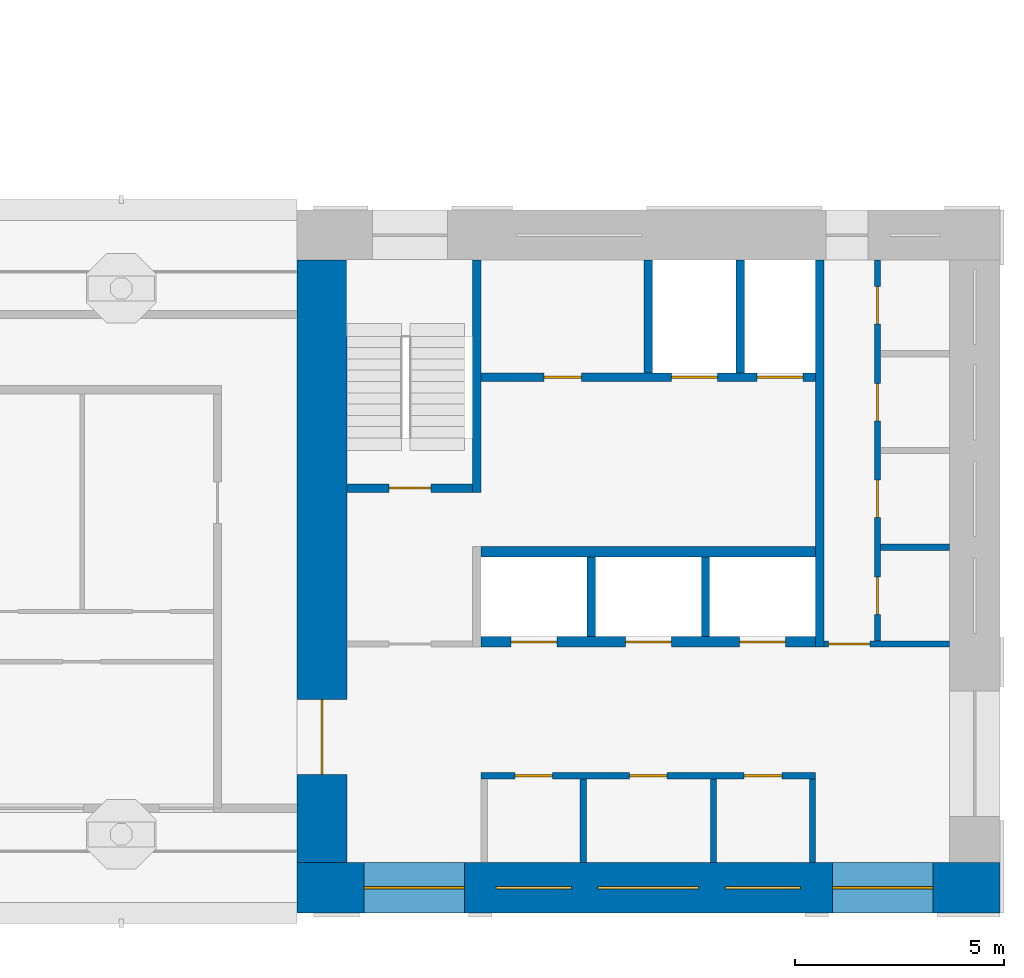
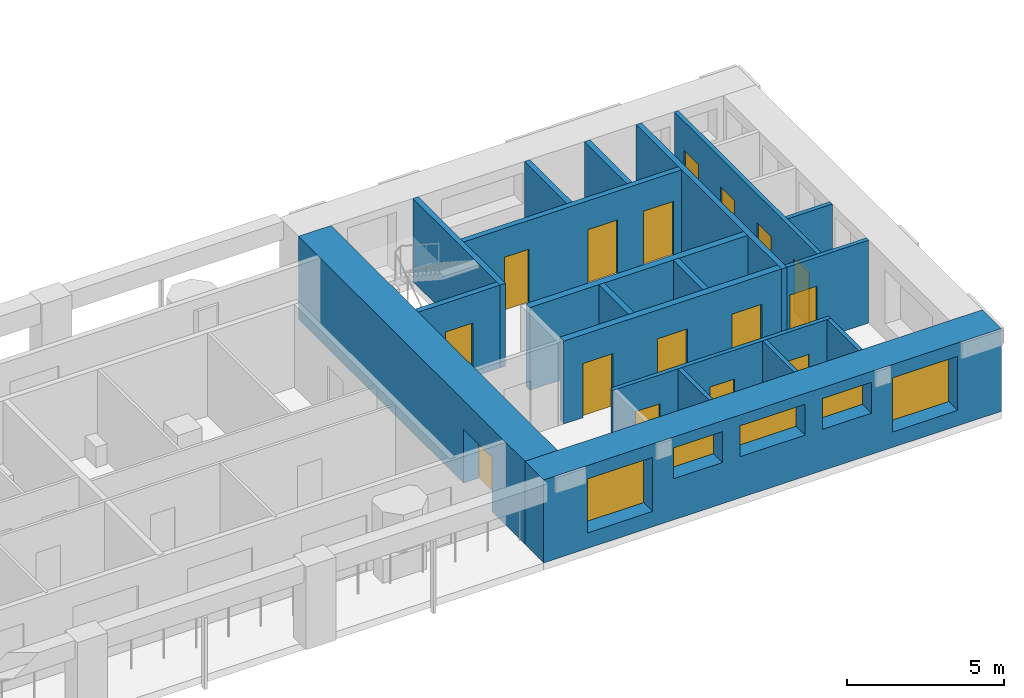
# One storey, part 4 of 12: 19 walls, 16 doors, 5 windows, 21 openings.
"""IFC4 building model written with IfcOpenShell, lengths in metres."""

from ifc_helpers import new_model, si_unit, direction, frame, frame_2d, origin, place, context, subcontext, project, spatial, rectangle, extrude, material, layer, layer_set, type_object, element, fill, save


model = new_model("IFC4")

# Units and contexts
model_context = context("Model", 3, precision=1e-05, world=origin(), true_north=direction((0.0, 1.0)))
body_context = subcontext(model_context, "Body", "Model", "MODEL_VIEW")
ifc_project = project(units=[si_unit("LENGTHUNIT", "METRE"), si_unit("AREAUNIT", "SQUARE_METRE"), si_unit("VOLUMEUNIT", "CUBIC_METRE"), si_unit("PLANEANGLEUNIT", "RADIAN"), si_unit("MASSUNIT", "GRAM", prefix="KILO")], contexts=[model_context])

# Site, building, storey
site_placement = place(None, origin())
site = spatial("IfcSite", under=ifc_project, at=site_placement, CompositionType="ELEMENT")
building_placement = place(site_placement, origin())
building = spatial("IfcBuilding", under=site, at=building_placement, Name="Vermilion Gate Residences", CompositionType="ELEMENT")
storey_placement = place(building_placement, frame((0.0, 0.0, 235.199951171875)))
storey = spatial("IfcBuildingStorey", under=building, at=storey_placement, Name="L61", CompositionType="ELEMENT", Elevation=235.199951171875)

# Walls
ifc_material_1 = material(Name="Masonry blockwork", Category="masonry")
ifc_layer_1 = layer(ifc_material_1, 0.14990234375)
ifc_layer_set_1 = layer_set([ifc_layer_1], Name="BLOCKWORK PARTITION 150 EI 120")
wall_type_1 = type_object("IfcWallType", Name="BLOCKWORK PARTITION 150 EI 120", PredefinedType="PARTITIONING", material=ifc_layer_set_1)
for number, where, z_axis, x_axis, name in (
    (1, (54.324951171875, 9.60009765625, 0.0), (0.0, 0.0, 1.0), (0.0, 1.0, 0.0), "Core room partition A61-RW-E"),
    (2, (48.844970703125, 9.60009765625, 0.0), (0.0, 0.0, 1.0), (0.0, 1.0, 0.0), "Core room partition A61-SR-P0"),
    (3, (51.955078125, 9.60009765625, 0.0), (0.0, 0.0, 1.0), (0.0, 1.0, 0.0), "Core room partition A61-SR-P1"),
):
    element("IfcWall", number, at=place(storey_placement, frame(where, z_axis=z_axis, x_axis=x_axis)), inside=storey, type_object=wall_type_1, Name=name, PredefinedType="PARTITIONING", context=body_context, shape_type="SweptSolid", body=[
        extrude(rectangle(XDim=2.0, YDim=0.14990234375, at=frame_2d((1.0, 0.0))), origin(), (0.0, 0.0, 1.0), 3.219970703125),
    ])

# Wall, openings, doors
wall_1_placement = place(storey_placement, frame((46.39990234375, 11.675048828125, 0.0), z_axis=(0.0, 0.0, 1.0), x_axis=(1.0, 0.0, 0.0)))
wall_1 = element("IfcWall", 4, at=wall_1_placement, inside=storey, type_object=wall_type_1, Name="Core room partition A61-LR-F", PredefinedType="PARTITIONING", context=body_context, shape_type="SweptSolid", body=[
    extrude(rectangle(XDim=8.0, YDim=0.14990234375, at=frame_2d((4.0, 0.0))), origin(), (0.0, 0.0, 1.0), 3.219970703125),
])
opening_1_placement = place(wall_1_placement, frame((0.81005859375, 0.0, 0.0)))
opening_1 = element("IfcOpeningElement", 5, at=opening_1_placement, cuts=wall_1, Name="Opening DK61002", PredefinedType="OPENING", context=body_context, shape_type="SweptSolid", body=[
    extrude(rectangle(XDim=0.89990234375, YDim=2.10009765625, at=frame_2d((0.449951171875, 1.050048828125))), frame((0.0, 0.0849609375, 0.0), z_axis=(0.0, -1.0, 0.0), x_axis=(1.0, 0.0, 0.0)), (0.0, 0.0, 1.0), 0.169921875),
])
opening_2_placement = place(wall_1_placement, frame((3.550048828125, 0.0, 0.0)))
opening_2 = element("IfcOpeningElement", 6, at=opening_2_placement, cuts=wall_1, Name="Opening DK61003", PredefinedType="OPENING", context=body_context, shape_type="SweptSolid", body=[
    extrude(rectangle(XDim=0.89990234375, YDim=2.10009765625, at=frame_2d((0.449951171875, 1.050048828125))), frame((0.0, 0.0849609375, 0.0), z_axis=(0.0, -1.0, 0.0), x_axis=(1.0, 0.0, 0.0)), (0.0, 0.0, 1.0), 0.169921875),
])
opening_3_placement = place(wall_1_placement, frame((6.2900390625, 0.0, 0.0)))
opening_3 = element("IfcOpeningElement", 7, at=opening_3_placement, cuts=wall_1, Name="Opening DK61004", PredefinedType="OPENING", context=body_context, shape_type="SweptSolid", body=[
    extrude(rectangle(XDim=0.89990234375, YDim=2.10009765625, at=frame_2d((0.449951171875, 1.050048828125))), frame((0.0, 0.0849609375, 0.0), z_axis=(0.0, -1.0, 0.0), x_axis=(1.0, 0.0, 0.0)), (0.0, 0.0, 1.0), 0.169921875),
])
ifc_material_2 = material(Name="Steel", Category="steel")
door_type_1 = type_object("IfcDoorType", Name="SERVICE ROOM DOOR FD60 900 X 2100", OperationType="SINGLE_SWING_LEFT", PredefinedType="DOOR", material=ifc_material_2)
door_1_placement = place(opening_1_placement, origin())
door_1 = element("IfcDoor", 8, at=door_1_placement, inside=storey, type_object=door_type_1, Name="Electrical room A61", OperationType="SINGLE_SWING_LEFT", OverallHeight=2.10009765625, OverallWidth=0.89990234375, PredefinedType="DOOR", context=body_context, shape_type="SweptSolid", body=[
    extrude(rectangle(XDim=0.89990234375, YDim=2.10009765625, at=frame_2d((0.449951171875, 1.050048828125))), frame((0.0, 0.02490234375, 0.0), z_axis=(0.0, -1.0, 0.0), x_axis=(1.0, 0.0, 0.0)), (0.0, 0.0, 1.0), 0.050048828125),
])
fill(opening_1, door_1)
door_2_placement = place(opening_2_placement, frame((0.89990234375, 0.0, 0.0), z_axis=(0.0, 0.0, 1.0), x_axis=(-1.0, 0.0, 0.0)))
door_2 = element("IfcDoor", 9, at=door_2_placement, inside=storey, type_object=door_type_1, Name="Communications room A61", OperationType="SINGLE_SWING_RIGHT", OverallHeight=2.10009765625, OverallWidth=0.89990234375, PredefinedType="DOOR", context=body_context, shape_type="SweptSolid", body=[
    extrude(rectangle(XDim=0.89990234375, YDim=2.10009765625, at=frame_2d((0.449951171875, 1.050048828125))), frame((0.0, 0.02490234375, 0.0), z_axis=(0.0, -1.0, 0.0), x_axis=(1.0, 0.0, 0.0)), (0.0, 0.0, 1.0), 0.050048828125),
])
fill(opening_2, door_2)
door_3_placement = place(opening_3_placement, frame((0.89990234375, 0.0, 0.0), z_axis=(0.0, 0.0, 1.0), x_axis=(-1.0, 0.0, 0.0)))
door_3 = element("IfcDoor", 10, at=door_3_placement, inside=storey, type_object=door_type_1, Name="Refuse room A61", OperationType="SINGLE_SWING_RIGHT", OverallHeight=2.10009765625, OverallWidth=0.89990234375, PredefinedType="DOOR", context=body_context, shape_type="SweptSolid", body=[
    extrude(rectangle(XDim=0.89990234375, YDim=2.10009765625, at=frame_2d((0.449951171875, 1.050048828125))), frame((0.0, 0.02490234375, 0.0), z_axis=(0.0, -1.0, 0.0), x_axis=(1.0, 0.0, 0.0)), (0.0, 0.0, 1.0), 0.050048828125),
])
fill(opening_3, door_3)

# Wall, opening, door
wall_2_placement = place(storey_placement, frame((54.60009765625, 14.824951171875, 0.0), z_axis=(0.0, 0.0, 1.0), x_axis=(1.0, 0.0, 0.0)))
wall_2 = element("IfcWall", 11, at=wall_2_placement, inside=storey, type_object=wall_type_1, Name="Core room partition A61-ES-S", PredefinedType="PARTITIONING", context=body_context, shape_type="SweptSolid", body=[
    extrude(rectangle(XDim=3.0, YDim=0.14990234375, at=frame_2d((1.5, 0.0))), origin(), (0.0, 0.0, 1.0), 3.219970703125),
])
opening_4_placement = place(wall_2_placement, frame((0.10009765625, 0.0, 0.0)))
opening_4 = element("IfcOpeningElement", 12, at=opening_4_placement, cuts=wall_2, Name="Opening DK61013", PredefinedType="OPENING", context=body_context, shape_type="SweptSolid", body=[
    extrude(rectangle(XDim=1.0, YDim=2.10009765625, at=frame_2d((0.5, 1.050048828125))), frame((0.0, 0.0849609375, 0.0), z_axis=(0.0, -1.0, 0.0), x_axis=(1.0, 0.0, 0.0)), (0.0, 0.0, 1.0), 0.169921875),
])
ifc_material_3 = material(Name="Steel", Category="steel")
door_type_2 = type_object("IfcDoorType", Name="FIRE DOOR FD60 1000 X 2100", OperationType="SINGLE_SWING_LEFT", PredefinedType="DOOR", material=ifc_material_3)
door_4_placement = place(opening_4_placement, frame((1.0, 0.0, 0.0), z_axis=(0.0, 0.0, 1.0), x_axis=(-1.0, 0.0, 0.0)))
door_4 = element("IfcDoor", 13, at=door_4_placement, inside=storey, type_object=door_type_2, Name="Service corridor door A61", OperationType="SINGLE_SWING_LEFT", OverallHeight=2.10009765625, OverallWidth=1.0, PredefinedType="DOOR", context=body_context, shape_type="SweptSolid", body=[
    extrude(rectangle(XDim=1.0, YDim=2.10009765625, at=frame_2d((0.5, 1.050048828125))), frame((0.0, 0.02490234375, 0.0), z_axis=(0.0, -1.0, 0.0), x_axis=(1.0, 0.0, 0.0)), (0.0, 0.0, 1.0), 0.050048828125),
])
fill(opening_4, door_4)

# Wall
wall_3_placement = place(storey_placement, frame((55.949951171875, 17.137451171875, 0.0), z_axis=(0.0, 0.0, 1.0), x_axis=(1.0, 0.0, 0.0)))
element("IfcWall", 14, at=wall_3_placement, inside=storey, type_object=wall_type_1, Name="Core room partition A61-ES-P0", PredefinedType="PARTITIONING", context=body_context, shape_type="SweptSolid", body=[
    extrude(rectangle(XDim=1.650146484375, YDim=0.14990234375, at=frame_2d((0.8251953125, 0.0))), origin(), (0.0, 0.0, 1.0), 3.219970703125),
])

# Wall, openings, doors
wall_4_placement = place(storey_placement, frame((55.875, 14.89990234375, 0.0), z_axis=(0.0, 0.0, 1.0), x_axis=(0.0, 1.0, 0.0)))
wall_4 = element("IfcWall", 15, at=wall_4_placement, inside=storey, type_object=wall_type_1, Name="Core room partition A61-ES-W", PredefinedType="PARTITIONING", context=body_context, shape_type="SweptSolid", body=[
    extrude(rectangle(XDim=9.10009765625, YDim=0.14990234375, at=frame_2d((4.550048828125, 0.0))), origin(), (0.0, 0.0, 1.0), 3.219970703125),
])
opening_5_placement = place(wall_4_placement, frame((0.63134765625, 0.0, 0.0)))
opening_5 = element("IfcOpeningElement", 16, at=opening_5_placement, cuts=wall_4, Name="Opening DK61014", PredefinedType="OPENING", context=body_context, shape_type="SweptSolid", body=[
    extrude(rectangle(XDim=0.89990234375, YDim=2.10009765625, at=frame_2d((0.449951171875, 1.050048828125))), frame((0.0, 0.0849609375, 0.0), z_axis=(0.0, -1.0, 0.0), x_axis=(1.0, 0.0, 0.0)), (0.0, 0.0, 1.0), 0.169921875),
])
opening_6_placement = place(wall_4_placement, frame((2.94384765625, 0.0, 0.0)))
opening_6 = element("IfcOpeningElement", 17, at=opening_6_placement, cuts=wall_4, Name="Opening DK61015", PredefinedType="OPENING", context=body_context, shape_type="SweptSolid", body=[
    extrude(rectangle(XDim=0.89990234375, YDim=2.10009765625, at=frame_2d((0.449951171875, 1.050048828125))), frame((0.0, 0.0849609375, 0.0), z_axis=(0.0, -1.0, 0.0), x_axis=(1.0, 0.0, 0.0)), (0.0, 0.0, 1.0), 0.169921875),
])
opening_7_placement = place(wall_4_placement, frame((5.25634765625, 0.0, 0.0)))
opening_7 = element("IfcOpeningElement", 18, at=opening_7_placement, cuts=wall_4, Name="Opening DK61016", PredefinedType="OPENING", context=body_context, shape_type="SweptSolid", body=[
    extrude(rectangle(XDim=0.89990234375, YDim=2.10009765625, at=frame_2d((0.449951171875, 1.050048828125))), frame((0.0, 0.0849609375, 0.0), z_axis=(0.0, -1.0, 0.0), x_axis=(1.0, 0.0, 0.0)), (0.0, 0.0, 1.0), 0.169921875),
])
opening_8_placement = place(wall_4_placement, frame((7.56884765625, 0.0, 0.0)))
opening_8 = element("IfcOpeningElement", 19, at=opening_8_placement, cuts=wall_4, Name="Opening DK61017", PredefinedType="OPENING", context=body_context, shape_type="SweptSolid", body=[
    extrude(rectangle(XDim=0.89990234375, YDim=2.10009765625, at=frame_2d((0.449951171875, 1.050048828125))), frame((0.0, 0.0849609375, 0.0), z_axis=(0.0, -1.0, 0.0), x_axis=(1.0, 0.0, 0.0)), (0.0, 0.0, 1.0), 0.169921875),
])
door_5_placement = place(opening_5_placement, frame((0.89990234375, 0.0, 0.0), z_axis=(0.0, 0.0, 1.0), x_axis=(-1.0, 0.0, 0.0)))
door_5 = element("IfcDoor", 20, at=door_5_placement, inside=storey, type_object=door_type_1, Name="Storage room A61", OperationType="SINGLE_SWING_RIGHT", OverallHeight=2.10009765625, OverallWidth=0.89990234375, PredefinedType="DOOR", context=body_context, shape_type="SweptSolid", body=[
    extrude(rectangle(XDim=0.89990234375, YDim=2.10009765625, at=frame_2d((0.449951171875, 1.050048828125))), frame((0.0, 0.02490234375, 0.0), z_axis=(0.0, -1.0, 0.0), x_axis=(1.0, 0.0, 0.0)), (0.0, 0.0, 1.0), 0.050048828125),
])
fill(opening_5, door_5)
door_6_placement = place(opening_6_placement, frame((0.89990234375, 0.0, 0.0), z_axis=(0.0, 0.0, 1.0), x_axis=(-1.0, 0.0, 0.0)))
door_6 = element("IfcDoor", 21, at=door_6_placement, inside=storey, type_object=door_type_1, Name="Refuse room A61", OperationType="SINGLE_SWING_RIGHT", OverallHeight=2.10009765625, OverallWidth=0.89990234375, PredefinedType="DOOR", context=body_context, shape_type="SweptSolid", body=[
    extrude(rectangle(XDim=0.89990234375, YDim=2.10009765625, at=frame_2d((0.449951171875, 1.050048828125))), frame((0.0, 0.02490234375, 0.0), z_axis=(0.0, -1.0, 0.0), x_axis=(1.0, 0.0, 0.0)), (0.0, 0.0, 1.0), 0.050048828125),
])
fill(opening_6, door_6)
door_7_placement = place(opening_7_placement, frame((0.89990234375, 0.0, 0.0), z_axis=(0.0, 0.0, 1.0), x_axis=(-1.0, 0.0, 0.0)))
door_7 = element("IfcDoor", 22, at=door_7_placement, inside=storey, type_object=door_type_1, Name="Parcel room A61", OperationType="SINGLE_SWING_RIGHT", OverallHeight=2.10009765625, OverallWidth=0.89990234375, PredefinedType="DOOR", context=body_context, shape_type="SweptSolid", body=[
    extrude(rectangle(XDim=0.89990234375, YDim=2.10009765625, at=frame_2d((0.449951171875, 1.050048828125))), frame((0.0, 0.02490234375, 0.0), z_axis=(0.0, -1.0, 0.0), x_axis=(1.0, 0.0, 0.0)), (0.0, 0.0, 1.0), 0.050048828125),
])
fill(opening_7, door_7)
door_8_placement = place(opening_8_placement, frame((0.89990234375, 0.0, 0.0), z_axis=(0.0, 0.0, 1.0), x_axis=(-1.0, 0.0, 0.0)))
door_8 = element("IfcDoor", 23, at=door_8_placement, inside=storey, type_object=door_type_1, Name="Cleaner's store A61", OperationType="SINGLE_SWING_RIGHT", OverallHeight=2.10009765625, OverallWidth=0.89990234375, PredefinedType="DOOR", context=body_context, shape_type="SweptSolid", body=[
    extrude(rectangle(XDim=0.89990234375, YDim=2.10009765625, at=frame_2d((0.449951171875, 1.050048828125))), frame((0.0, 0.02490234375, 0.0), z_axis=(0.0, -1.0, 0.0), x_axis=(1.0, 0.0, 0.0)), (0.0, 0.0, 1.0), 0.050048828125),
])
fill(opening_8, door_8)

# Walls
ifc_material_4 = material(Name="Concrete C60", Category="concrete")
ifc_layer_2 = layer(ifc_material_4, 0.199951171875)
ifc_layer_set_2 = layer_set([ifc_layer_2], Name="RC CORE INTERNAL WALL 200 C60")
wall_type_2 = type_object("IfcWallType", Name="RC CORE INTERNAL WALL 200 C60", PredefinedType="SHEAR", material=ifc_layer_set_2)
for number, where, z_axis, x_axis, name in (
    (24, (49.033447265625, 15.0, 0.0), (0.0, 0.0, 1.0), (0.0, 1.0, 0.0), "Core internal wall A61-HR-D1"),
    (25, (51.7666015625, 15.0, 0.0), (0.0, 0.0, 1.0), (0.0, 1.0, 0.0), "Core internal wall A61-HR-D2"),
):
    element("IfcWall", number, at=place(storey_placement, frame(where, z_axis=z_axis, x_axis=x_axis)), inside=storey, type_object=wall_type_2, Name=name, PredefinedType="SHEAR", context=body_context, shape_type="SweptSolid", body=[
        extrude(rectangle(XDim=1.89990234375, YDim=0.199951171875, at=frame_2d((0.949951171875, 0.0))), origin(), (0.0, 0.0, 1.0), 3.219970703125),
    ])
for number, where, z_axis, x_axis, name in (
    (26, (50.39990234375, 21.300048828125, 0.0), (0.0, 0.0, 1.0), (0.0, 1.0, 0.0), "Core internal wall A61-FF-D0"),
    (27, (52.60009765625, 21.300048828125, 0.0), (0.0, 0.0, 1.0), (0.0, 1.0, 0.0), "Core internal wall A61-FF-D1"),
):
    element("IfcWall", number, at=place(storey_placement, frame(where, z_axis=z_axis, x_axis=x_axis)), inside=storey, type_object=wall_type_2, Name=name, PredefinedType="SHEAR", context=body_context, shape_type="SweptSolid", body=[
        extrude(rectangle(XDim=2.699951171875, YDim=0.199951171875, at=frame_2d((1.35009765625, 0.0))), origin(), (0.0, 0.0, 1.0), 3.219970703125),
    ])

# Wall, openings, doors
wall_5_placement = place(storey_placement, frame((46.39990234375, 21.199951171875, 0.0), z_axis=(0.0, 0.0, 1.0), x_axis=(1.0, 0.0, 0.0)))
wall_5 = element("IfcWall", 28, at=wall_5_placement, inside=storey, type_object=wall_type_2, Name="Core internal wall A61-FF-F", PredefinedType="SHEAR", context=body_context, shape_type="SweptSolid", body=[
    extrude(rectangle(XDim=8.0, YDim=0.199951171875, at=frame_2d((4.0, 0.0))), origin(), (0.0, 0.0, 1.0), 3.219970703125),
])
opening_9_placement = place(wall_5_placement, frame((1.5, 0.0, 0.0)))
opening_9 = element("IfcOpeningElement", 29, at=opening_9_placement, cuts=wall_5, Name="Opening DK61008", PredefinedType="OPENING", context=body_context, shape_type="SweptSolid", body=[
    extrude(rectangle(XDim=0.89990234375, YDim=2.10009765625, at=frame_2d((0.449951171875, 1.050048828125))), frame((0.0, 0.10986328125, 0.0), z_axis=(0.0, -1.0, 0.0), x_axis=(1.0, 0.0, 0.0)), (0.0, 0.0, 1.0), 0.219970703125),
])
opening_10_placement = place(wall_5_placement, frame((4.550048828125, 0.0, 0.0)))
opening_10 = element("IfcOpeningElement", 30, at=opening_10_placement, cuts=wall_5, Name="Opening LD", PredefinedType="OPENING", context=body_context, shape_type="SweptSolid", body=[
    extrude(rectangle(XDim=1.10009765625, YDim=2.10009765625, at=frame_2d((0.550048828125, 1.050048828125))), frame((0.0, 0.10986328125, 0.0), z_axis=(0.0, -1.0, 0.0), x_axis=(1.0, 0.0, 0.0)), (0.0, 0.0, 1.0), 0.219970703125),
])
opening_11_placement = place(wall_5_placement, frame((6.60009765625, 0.0, 0.0)))
opening_11 = element("IfcOpeningElement", 31, at=opening_11_placement, cuts=wall_5, Name="Opening LD", PredefinedType="OPENING", context=body_context, shape_type="SweptSolid", body=[
    extrude(rectangle(XDim=1.10009765625, YDim=2.10009765625, at=frame_2d((0.550048828125, 1.050048828125))), frame((0.0, 0.10986328125, 0.0), z_axis=(0.0, -1.0, 0.0), x_axis=(1.0, 0.0, 0.0)), (0.0, 0.0, 1.0), 0.219970703125),
])
ifc_material_5 = material(Name="Stainless steel", Category="steel")
door_type_3 = type_object("IfcDoorType", Name="LIFT LANDING DOOR E60 1100 X 2100", OperationType="DOUBLE_DOOR_SLIDING", PredefinedType="DOOR", material=ifc_material_5)
door_9_placement = place(opening_10_placement, origin())
door_9 = element("IfcDoor", 32, at=door_9_placement, inside=storey, type_object=door_type_3, Name="Lift landing door LFA1", OperationType="DOUBLE_DOOR_SLIDING", OverallHeight=2.10009765625, OverallWidth=1.10009765625, PredefinedType="DOOR", context=body_context, shape_type="SweptSolid", body=[
    extrude(rectangle(XDim=1.10009765625, YDim=2.10009765625, at=frame_2d((0.550048828125, 1.050048828125))), frame((0.0, 0.02490234375, 0.0), z_axis=(0.0, -1.0, 0.0), x_axis=(1.0, 0.0, 0.0)), (0.0, 0.0, 1.0), 0.050048828125),
])
fill(opening_10, door_9)
door_10_placement = place(opening_11_placement, origin())
door_10 = element("IfcDoor", 33, at=door_10_placement, inside=storey, type_object=door_type_3, Name="Lift landing door LCA1", OperationType="DOUBLE_DOOR_SLIDING", OverallHeight=2.10009765625, OverallWidth=1.10009765625, PredefinedType="DOOR", context=body_context, shape_type="SweptSolid", body=[
    extrude(rectangle(XDim=1.10009765625, YDim=2.10009765625, at=frame_2d((0.550048828125, 1.050048828125))), frame((0.0, 0.02490234375, 0.0), z_axis=(0.0, -1.0, 0.0), x_axis=(1.0, 0.0, 0.0)), (0.0, 0.0, 1.0), 0.050048828125),
])
fill(opening_11, door_10)
door_11_placement = place(opening_9_placement, origin())
door_11 = element("IfcDoor", 34, at=door_11_placement, inside=storey, type_object=door_type_1, Name="Electrical riser A61", OperationType="SINGLE_SWING_LEFT", OverallHeight=2.10009765625, OverallWidth=0.89990234375, PredefinedType="DOOR", context=body_context, shape_type="SweptSolid", body=[
    extrude(rectangle(XDim=0.89990234375, YDim=2.10009765625, at=frame_2d((0.449951171875, 1.050048828125))), frame((0.0, 0.02490234375, 0.0), z_axis=(0.0, -1.0, 0.0), x_axis=(1.0, 0.0, 0.0)), (0.0, 0.0, 1.0), 0.050048828125),
])
fill(opening_9, door_11)

# Wall
wall_6_placement = place(storey_placement, frame((46.300048828125, 18.449951171875, 0.0), z_axis=(0.0, 0.0, 1.0), x_axis=(0.0, 1.0, 0.0)))
element("IfcWall", 35, at=wall_6_placement, inside=storey, type_object=wall_type_2, Name="Core internal wall A61-WDIV2", PredefinedType="SHEAR", context=body_context, shape_type="SweptSolid", body=[
    extrude(rectangle(XDim=5.550048828125, YDim=0.199951171875, at=frame_2d((2.77490234375, 0.0))), origin(), (0.0, 0.0, 1.0), 3.219970703125),
])

# Wall, opening, door
wall_7_placement = place(storey_placement, frame((43.199951171875, 18.550048828125, 0.0), z_axis=(0.0, 0.0, 1.0), x_axis=(1.0, 0.0, 0.0)))
wall_7 = element("IfcWall", 36, at=wall_7_placement, inside=storey, type_object=wall_type_2, Name="Core internal wall A61-STW-S", PredefinedType="SHEAR", context=body_context, shape_type="SweptSolid", body=[
    extrude(rectangle(XDim=3.0, YDim=0.199951171875, at=frame_2d((1.5, 0.0))), origin(), (0.0, 0.0, 1.0), 3.219970703125),
])
opening_12_placement = place(wall_7_placement, frame((1.0, 0.0, 0.0)))
opening_12 = element("IfcOpeningElement", 37, at=opening_12_placement, cuts=wall_7, Name="Opening DK61012", PredefinedType="OPENING", context=body_context, shape_type="SweptSolid", body=[
    extrude(rectangle(XDim=1.0, YDim=2.10009765625, at=frame_2d((0.5, 1.050048828125))), frame((0.0, 0.10986328125, 0.0), z_axis=(0.0, -1.0, 0.0), x_axis=(1.0, 0.0, 0.0)), (0.0, 0.0, 1.0), 0.219970703125),
])
door_12_placement = place(opening_12_placement, origin())
door_12 = element("IfcDoor", 38, at=door_12_placement, inside=storey, type_object=door_type_2, Name="Stair door A61", OperationType="SINGLE_SWING_LEFT", OverallHeight=2.10009765625, OverallWidth=1.0, PredefinedType="DOOR", context=body_context, shape_type="SweptSolid", body=[
    extrude(rectangle(XDim=1.0, YDim=2.10009765625, at=frame_2d((0.5, 1.050048828125))), frame((0.0, 0.02490234375, 0.0), z_axis=(0.0, -1.0, 0.0), x_axis=(1.0, 0.0, 0.0)), (0.0, 0.0, 1.0), 0.050048828125),
])
fill(opening_12, door_12)

# Wall
wall_8_placement = place(storey_placement, frame((54.5, 14.75, 0.0), z_axis=(0.0, 0.0, 1.0), x_axis=(0.0, 1.0, 0.0)))
element("IfcWall", 39, at=wall_8_placement, inside=storey, type_object=wall_type_2, Name="Core internal wall A61-EDIV", PredefinedType="SHEAR", context=body_context, shape_type="SweptSolid", body=[
    extrude(rectangle(XDim=9.25, YDim=0.199951171875, at=frame_2d((4.625, 0.0))), origin(), (0.0, 0.0, 1.0), 3.219970703125),
])

# Wall, opening, door
ifc_material_6 = material(Name="Concrete C50", Category="concrete")
ifc_layer_3 = layer(ifc_material_6, 1.199951171875)
ifc_layer_set_3 = layer_set([ifc_layer_3], Name="RC CORE WALL 1200 C50")
wall_type_3 = type_object("IfcWallType", Name="RC CORE WALL 1200 C50", PredefinedType="SHEAR", material=ifc_layer_set_3)
wall_9_placement = place(storey_placement, frame((42.60009765625, 9.60009765625, 0.0), z_axis=(0.0, 0.0, 1.0), x_axis=(0.0, 1.0, 0.0)))
wall_9 = element("IfcWall", 40, at=wall_9_placement, inside=storey, type_object=wall_type_3, Name="Core wall A61-OUT-FR", PredefinedType="SHEAR", context=body_context, shape_type="SweptSolid", body=[
    extrude(rectangle(XDim=14.39990234375, YDim=1.199951171875, at=frame_2d((7.199951171875, 0.0))), origin(), (0.0, 0.0, 1.0), 3.219970703125),
])
opening_13_placement = place(wall_9_placement, frame((2.10009765625, 0.0, 0.0)))
opening_13 = element("IfcOpeningElement", 41, at=opening_13_placement, cuts=wall_9, Name="Opening DK61001", PredefinedType="OPENING", context=body_context, shape_type="SweptSolid", body=[
    extrude(rectangle(XDim=1.800048828125, YDim=2.10009765625, at=frame_2d((0.89990234375, 1.050048828125))), frame((0.0, 0.60986328125, 0.0), z_axis=(0.0, -1.0, 0.0), x_axis=(1.0, 0.0, 0.0)), (0.0, 0.0, 1.0), 1.219970703125),
])
ifc_material_7 = material(Name="Steel", Category="steel")
door_type_4 = type_object("IfcDoorType", Name="CORE LOBBY DOOR FD60 1800 X 2100", OperationType="DOUBLE_DOOR_SINGLE_SWING", PredefinedType="DOOR", material=ifc_material_7)
door_13_placement = place(opening_13_placement, frame((1.800048828125, 0.0, 0.0), z_axis=(0.0, 0.0, 1.0), x_axis=(-1.0, 0.0, 0.0)))
door_13 = element("IfcDoor", 42, at=door_13_placement, inside=storey, type_object=door_type_4, Name="Core lobby door A61", OperationType="DOUBLE_DOOR_SINGLE_SWING", OverallHeight=2.10009765625, OverallWidth=1.800048828125, PredefinedType="DOOR", context=body_context, shape_type="SweptSolid", body=[
    extrude(rectangle(XDim=1.800048828125, YDim=2.10009765625, at=frame_2d((0.89990234375, 1.050048828125))), frame((0.0, 0.02490234375, 0.0), z_axis=(0.0, -1.0, 0.0), x_axis=(1.0, 0.0, 0.0)), (0.0, 0.0, 1.0), 0.050048828125),
])
fill(opening_13, door_13)

# Wall, openings, windows
ifc_material_8 = material(Name="Concrete C50 red-oxide pigmented", Category="concrete")
ifc_layer_4 = layer(ifc_material_8, 1.199951171875)
ifc_layer_set_4 = layer_set([ifc_layer_4], Name="RC CORE WALL 1200 C50 RED OXIDE")
wall_type_4 = type_object("IfcWallType", Name="RC CORE WALL 1200 C50 RED OXIDE", PredefinedType="SHEAR", material=ifc_layer_set_4)
wall_10_placement = place(storey_placement, frame((42.0, 9.0, 0.0), z_axis=(0.0, 0.0, 1.0), x_axis=(1.0, 0.0, 0.0)))
wall_10 = element("IfcWall", 43, at=wall_10_placement, inside=storey, type_object=wall_type_4, Name="Core wall A61-OUT-B0", PredefinedType="SHEAR", context=body_context, shape_type="SweptSolid", body=[
    extrude(rectangle(XDim=16.800048828125, YDim=1.199951171875, at=frame_2d((8.39990234375, 0.0))), origin(), (0.0, 0.0, 1.0), 3.219970703125),
])
opening_14_placement = place(wall_10_placement, frame((1.60009765625, 0.0, 0.60009765625)))
opening_14 = element("IfcOpeningElement", 44, at=opening_14_placement, cuts=wall_10, Name="Opening WKA6101", PredefinedType="OPENING", context=body_context, shape_type="SweptSolid", body=[
    extrude(rectangle(XDim=2.39990234375, YDim=2.10009765625, at=frame_2d((1.199951171875, 1.050048828125))), frame((0.0, 0.60986328125, 0.0), z_axis=(0.0, -1.0, 0.0), x_axis=(1.0, 0.0, 0.0)), (0.0, 0.0, 1.0), 1.219970703125),
])
opening_15_placement = place(wall_10_placement, frame((4.760009765625, 0.0, 1.60009765625)))
opening_15 = element("IfcOpeningElement", 45, at=opening_15_placement, cuts=wall_10, Name="Opening WKA6102", PredefinedType="OPENING", context=body_context, shape_type="SweptSolid", body=[
    extrude(rectangle(XDim=1.800048828125, YDim=1.199951171875, at=frame_2d((0.89990234375, 0.60009765625))), frame((0.0, 0.60986328125, 0.0), z_axis=(0.0, -1.0, 0.0), x_axis=(1.0, 0.0, 0.0)), (0.0, 0.0, 1.0), 1.219970703125),
])
opening_16_placement = place(wall_10_placement, frame((7.199951171875, 0.0, 1.60009765625)))
opening_16 = element("IfcOpeningElement", 46, at=opening_16_placement, cuts=wall_10, Name="Opening WKA6103", PredefinedType="OPENING", context=body_context, shape_type="SweptSolid", body=[
    extrude(rectangle(XDim=2.39990234375, YDim=1.199951171875, at=frame_2d((1.199951171875, 0.60009765625))), frame((0.0, 0.60986328125, 0.0), z_axis=(0.0, -1.0, 0.0), x_axis=(1.0, 0.0, 0.0)), (0.0, 0.0, 1.0), 1.219970703125),
])
opening_17_placement = place(wall_10_placement, frame((10.239990234375, 0.0, 1.60009765625)))
opening_17 = element("IfcOpeningElement", 47, at=opening_17_placement, cuts=wall_10, Name="Opening WKA6104", PredefinedType="OPENING", context=body_context, shape_type="SweptSolid", body=[
    extrude(rectangle(XDim=1.800048828125, YDim=1.199951171875, at=frame_2d((0.89990234375, 0.60009765625))), frame((0.0, 0.60986328125, 0.0), z_axis=(0.0, -1.0, 0.0), x_axis=(1.0, 0.0, 0.0)), (0.0, 0.0, 1.0), 1.219970703125),
])
opening_18_placement = place(wall_10_placement, frame((12.800048828125, 0.0, 0.60009765625)))
opening_18 = element("IfcOpeningElement", 48, at=opening_18_placement, cuts=wall_10, Name="Opening WKA6105", PredefinedType="OPENING", context=body_context, shape_type="SweptSolid", body=[
    extrude(rectangle(XDim=2.39990234375, YDim=2.10009765625, at=frame_2d((1.199951171875, 1.050048828125))), frame((0.0, 0.60986328125, 0.0), z_axis=(0.0, -1.0, 0.0), x_axis=(1.0, 0.0, 0.0)), (0.0, 0.0, 1.0), 1.219970703125),
])
ifc_material_9 = material(Name="Aluminium and clear glass", Category="aluminium")
window_type_1 = type_object("IfcWindowType", Name="CORE LOBBY WINDOW 2400 X 2100", PartitioningType="SINGLE_PANEL", PredefinedType="WINDOW", material=ifc_material_9)
window_1_placement = place(opening_14_placement, origin())
window_1 = element("IfcWindow", 49, at=window_1_placement, inside=storey, type_object=window_type_1, Name="Core lobby window", OverallHeight=2.10009765625, OverallWidth=2.39990234375, PartitioningType="SINGLE_PANEL", PredefinedType="WINDOW", context=body_context, shape_type="SweptSolid", body=[
    extrude(rectangle(XDim=2.39990234375, YDim=2.10009765625, at=frame_2d((1.199951171875, 1.050048828125))), frame((0.0, 0.030029296875, 0.0), z_axis=(0.0, -1.0, 0.0), x_axis=(1.0, 0.0, 0.0)), (0.0, 0.0, 1.0), 0.06005859375),
])
fill(opening_14, window_1)
window_2_placement = place(opening_18_placement, origin())
window_2 = element("IfcWindow", 50, at=window_2_placement, inside=storey, type_object=window_type_1, Name="Core lobby window", OverallHeight=2.10009765625, OverallWidth=2.39990234375, PartitioningType="SINGLE_PANEL", PredefinedType="WINDOW", context=body_context, shape_type="SweptSolid", body=[
    extrude(rectangle(XDim=2.39990234375, YDim=2.10009765625, at=frame_2d((1.199951171875, 1.050048828125))), frame((0.0, 0.030029296875, 0.0), z_axis=(0.0, -1.0, 0.0), x_axis=(1.0, 0.0, 0.0)), (0.0, 0.0, 1.0), 0.06005859375),
])
fill(opening_18, window_2)
ifc_material_10 = material(Name="Aluminium frame with louvre blades", Category="aluminium")
window_type_2 = type_object("IfcWindowType", Name="CORE LOUVRE 1800 X 1200", PartitioningType="SINGLE_PANEL", PredefinedType="WINDOW", material=ifc_material_10)
window_3_placement = place(opening_15_placement, origin())
window_3 = element("IfcWindow", 51, at=window_3_placement, inside=storey, type_object=window_type_2, Name="Core louvre", OverallHeight=1.199951171875, OverallWidth=1.800048828125, PartitioningType="SINGLE_PANEL", PredefinedType="WINDOW", context=body_context, shape_type="SweptSolid", body=[
    extrude(rectangle(XDim=1.800048828125, YDim=1.199951171875, at=frame_2d((0.89990234375, 0.60009765625))), frame((0.0, 0.030029296875, 0.0), z_axis=(0.0, -1.0, 0.0), x_axis=(1.0, 0.0, 0.0)), (0.0, 0.0, 1.0), 0.06005859375),
])
fill(opening_15, window_3)
window_4_placement = place(opening_17_placement, origin())
window_4 = element("IfcWindow", 52, at=window_4_placement, inside=storey, type_object=window_type_2, Name="Core louvre", OverallHeight=1.199951171875, OverallWidth=1.800048828125, PartitioningType="SINGLE_PANEL", PredefinedType="WINDOW", context=body_context, shape_type="SweptSolid", body=[
    extrude(rectangle(XDim=1.800048828125, YDim=1.199951171875, at=frame_2d((0.89990234375, 0.60009765625))), frame((0.0, 0.030029296875, 0.0), z_axis=(0.0, -1.0, 0.0), x_axis=(1.0, 0.0, 0.0)), (0.0, 0.0, 1.0), 0.06005859375),
])
fill(opening_17, window_4)
ifc_material_11 = material(Name="Aluminium frame with louvre blades", Category="aluminium")
window_type_3 = type_object("IfcWindowType", Name="CORE LOUVRE 2400 X 1200", PartitioningType="SINGLE_PANEL", PredefinedType="WINDOW", material=ifc_material_11)
window_5_placement = place(opening_16_placement, origin())
window_5 = element("IfcWindow", 53, at=window_5_placement, inside=storey, type_object=window_type_3, Name="Core louvre", OverallHeight=1.199951171875, OverallWidth=2.39990234375, PartitioningType="SINGLE_PANEL", PredefinedType="WINDOW", context=body_context, shape_type="SweptSolid", body=[
    extrude(rectangle(XDim=2.39990234375, YDim=1.199951171875, at=frame_2d((1.199951171875, 0.60009765625))), frame((0.0, 0.030029296875, 0.0), z_axis=(0.0, -1.0, 0.0), x_axis=(1.0, 0.0, 0.0)), (0.0, 0.0, 1.0), 0.06005859375),
])
fill(opening_16, window_5)

# Wall, openings, doors
ifc_material_12 = material(Name="Concrete C60", Category="concrete")
ifc_layer_5 = layer(ifc_material_12, 0.25)
ifc_layer_set_5 = layer_set([ifc_layer_5], Name="RC LIFT SHAFT WALL 250 C60")
wall_type_5 = type_object("IfcWallType", Name="RC LIFT SHAFT WALL 250 C60", PredefinedType="SHEAR", material=ifc_layer_set_5)
wall_11_placement = place(storey_placement, frame((46.39990234375, 14.875, 0.0), z_axis=(0.0, 0.0, 1.0), x_axis=(1.0, 0.0, 0.0)))
wall_11 = element("IfcWall", 54, at=wall_11_placement, inside=storey, type_object=wall_type_5, Name="Lift shaft wall A61-HR-F", PredefinedType="SHEAR", context=body_context, shape_type="SweptSolid", body=[
    extrude(rectangle(XDim=8.0, YDim=0.25, at=frame_2d((4.0, 0.0))), origin(), (0.0, 0.0, 1.0), 3.219970703125),
])
opening_19_placement = place(wall_11_placement, frame((0.716552734375, 0.0, 0.0)))
opening_19 = element("IfcOpeningElement", 55, at=opening_19_placement, cuts=wall_11, Name="Opening LD", PredefinedType="OPENING", context=body_context, shape_type="SweptSolid", body=[
    extrude(rectangle(XDim=1.10009765625, YDim=2.10009765625, at=frame_2d((0.550048828125, 1.050048828125))), frame((0.0, 0.135009765625, 0.0), z_axis=(0.0, -1.0, 0.0), x_axis=(1.0, 0.0, 0.0)), (0.0, 0.0, 1.0), 0.27001953125),
])
opening_20_placement = place(wall_11_placement, frame((3.449951171875, 0.0, 0.0)))
opening_20 = element("IfcOpeningElement", 56, at=opening_20_placement, cuts=wall_11, Name="Opening LD", PredefinedType="OPENING", context=body_context, shape_type="SweptSolid", body=[
    extrude(rectangle(XDim=1.10009765625, YDim=2.10009765625, at=frame_2d((0.550048828125, 1.050048828125))), frame((0.0, 0.135009765625, 0.0), z_axis=(0.0, -1.0, 0.0), x_axis=(1.0, 0.0, 0.0)), (0.0, 0.0, 1.0), 0.27001953125),
])
opening_21_placement = place(wall_11_placement, frame((6.183349609375, 0.0, 0.0)))
opening_21 = element("IfcOpeningElement", 57, at=opening_21_placement, cuts=wall_11, Name="Opening LD", PredefinedType="OPENING", context=body_context, shape_type="SweptSolid", body=[
    extrude(rectangle(XDim=1.10009765625, YDim=2.10009765625, at=frame_2d((0.550048828125, 1.050048828125))), frame((0.0, 0.135009765625, 0.0), z_axis=(0.0, -1.0, 0.0), x_axis=(1.0, 0.0, 0.0)), (0.0, 0.0, 1.0), 0.27001953125),
])
door_14_placement = place(opening_19_placement, origin())
door_14 = element("IfcDoor", 58, at=door_14_placement, inside=storey, type_object=door_type_3, Name="Lift landing door HRA1", OperationType="DOUBLE_DOOR_SLIDING", OverallHeight=2.10009765625, OverallWidth=1.10009765625, PredefinedType="DOOR", context=body_context, shape_type="SweptSolid", body=[
    extrude(rectangle(XDim=1.10009765625, YDim=2.10009765625, at=frame_2d((0.550048828125, 1.050048828125))), frame((0.0, 0.02490234375, 0.0), z_axis=(0.0, -1.0, 0.0), x_axis=(1.0, 0.0, 0.0)), (0.0, 0.0, 1.0), 0.050048828125),
])
fill(opening_19, door_14)
door_15_placement = place(opening_20_placement, origin())
door_15 = element("IfcDoor", 59, at=door_15_placement, inside=storey, type_object=door_type_3, Name="Lift landing door HRA2", OperationType="DOUBLE_DOOR_SLIDING", OverallHeight=2.10009765625, OverallWidth=1.10009765625, PredefinedType="DOOR", context=body_context, shape_type="SweptSolid", body=[
    extrude(rectangle(XDim=1.10009765625, YDim=2.10009765625, at=frame_2d((0.550048828125, 1.050048828125))), frame((0.0, 0.02490234375, 0.0), z_axis=(0.0, -1.0, 0.0), x_axis=(1.0, 0.0, 0.0)), (0.0, 0.0, 1.0), 0.050048828125),
])
fill(opening_20, door_15)
door_16_placement = place(opening_21_placement, origin())
door_16 = element("IfcDoor", 60, at=door_16_placement, inside=storey, type_object=door_type_3, Name="Lift landing door HRA3", OperationType="DOUBLE_DOOR_SLIDING", OverallHeight=2.10009765625, OverallWidth=1.10009765625, PredefinedType="DOOR", context=body_context, shape_type="SweptSolid", body=[
    extrude(rectangle(XDim=1.10009765625, YDim=2.10009765625, at=frame_2d((0.550048828125, 1.050048828125))), frame((0.0, 0.02490234375, 0.0), z_axis=(0.0, -1.0, 0.0), x_axis=(1.0, 0.0, 0.0)), (0.0, 0.0, 1.0), 0.050048828125),
])
fill(opening_21, door_16)

# Wall
wall_12_placement = place(storey_placement, frame((46.39990234375, 17.02490234375, 0.0), z_axis=(0.0, 0.0, 1.0), x_axis=(1.0, 0.0, 0.0)))
element("IfcWall", 61, at=wall_12_placement, inside=storey, type_object=wall_type_5, Name="Lift shaft wall A61-HR-B", PredefinedType="SHEAR", context=body_context, shape_type="SweptSolid", body=[
    extrude(rectangle(XDim=8.0, YDim=0.25, at=frame_2d((4.0, 0.0))), origin(), (0.0, 0.0, 1.0), 3.219970703125),
])

save(model, "model.ifc")
